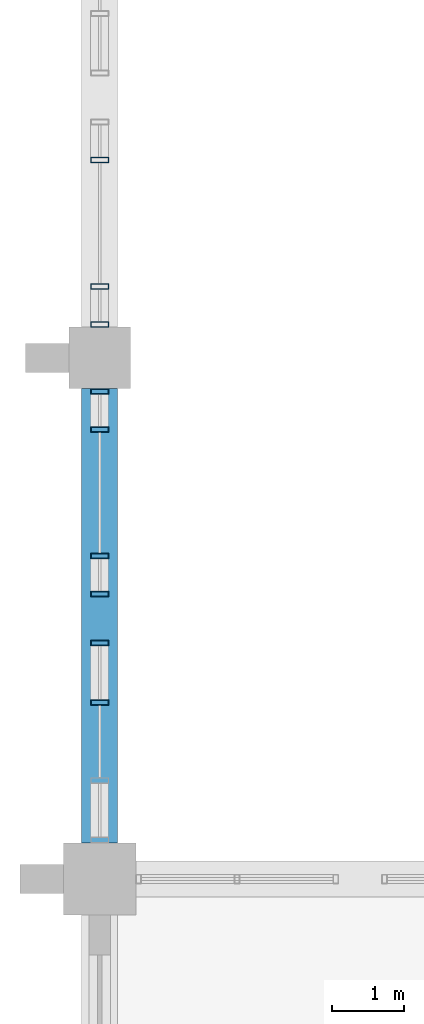
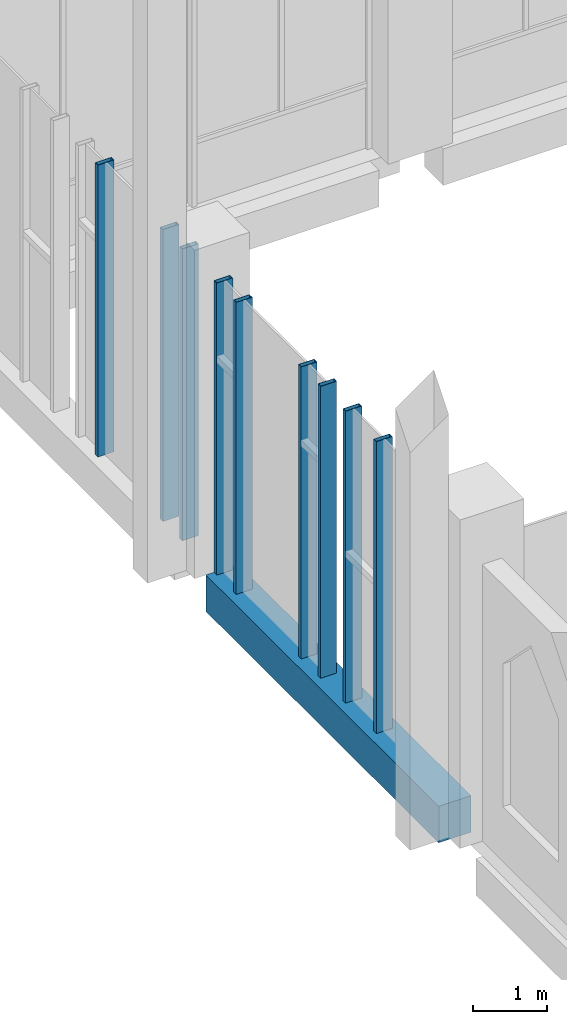
# One storey, part 6 of 83: 9 members, 1 beam, 3 elements without a shape of their own.
"""IFC4 building model written with IfcOpenShell, lengths in metres."""

from ifc_helpers import new_model, si_unit, direction, frame, origin, origin_2d, place, context, subcontext, project, spatial, rectangle, hollow_rectangle, extrude, material, material_profile, profile_set, type_object, element, aggregate, save


model = new_model("IFC4")

# Units and contexts
model_context = context("Model", 3, precision=1e-05, world=origin(), true_north=direction((0.0, 1.0)))
body_context = subcontext(model_context, "Body", "Model", "MODEL_VIEW")
ifc_project = project(units=[si_unit("LENGTHUNIT", "METRE"), si_unit("AREAUNIT", "SQUARE_METRE"), si_unit("VOLUMEUNIT", "CUBIC_METRE"), si_unit("PLANEANGLEUNIT", "RADIAN"), si_unit("MASSUNIT", "GRAM", prefix="KILO")], contexts=[model_context])

# Site, building, storey
site_placement = place(None, origin())
site = spatial("IfcSite", under=ifc_project, at=site_placement, CompositionType="ELEMENT")
building_placement = place(site_placement, origin())
building = spatial("IfcBuilding", under=site, at=building_placement, Name="Silangan Lancet Faculty of Sciences", CompositionType="ELEMENT")
storey_placement = place(building_placement, frame((0.0, 0.0, 11.39990234375)))
storey = spatial("IfcBuildingStorey", under=building, at=storey_placement, Name="L02", CompositionType="ELEMENT", Elevation=11.39990234375)

# Beam
ifc_material_1 = material(Name="Concrete C40/50", Category="concrete")
ifc_material_profile_1 = material_profile(ifc_material_1, rectangle(XDim=0.5, YDim=0.60009765625, at=origin_2d()), Name="RC 500x600")
ifc_profile_set_1 = profile_set([ifc_material_profile_1], Name="Concrete C40/50")
beam_type = type_object("IfcBeamType", Name="BEAM RC 500x600", PredefinedType="BEAM", material=ifc_profile_set_1)
beam_placement = place(storey_placement, frame((0.0, 22.10009765625, -0.2998046875), z_axis=(0.0, 1.0, 0.0), x_axis=(-1.0, 0.0, 0.0)))
element("IfcBeam", 1, at=beam_placement, inside=storey, type_object=beam_type, Name="BM-L02-1D-1E", PredefinedType="BEAM", context=body_context, shape_type="SweptSolid", body=[
    extrude(rectangle(XDim=0.5, YDim=0.60009765625, at=origin_2d()), origin(), (0.0, 0.0, 1.0), 6.27490234375),
])

# Curtain wall, members
ifc_material_2 = material(Name="Aluminium framed curtain wall with insulated glass", Category="aluminium")
curtain_wall_type_1 = type_object("IfcCurtainWallType", Name="CW3 West stepped lancet window", PredefinedType="NOTDEFINED", material=ifc_material_2)
curtain_wall_1_placement = place(storey_placement, origin())
curtain_wall_1 = element("IfcCurtainWall", 2, at=curtain_wall_1_placement, inside=storey, type_object=curtain_wall_type_1, Name="CW3 West window L02 bay 1", PredefinedType="NOTDEFINED")
ifc_material_3 = material(Name="Aluminium 6063-T6 extrusion", Category="aluminium")
ifc_material_profile_2 = material_profile(ifc_material_3, hollow_rectangle(XDim=0.074951171875, YDim=0.25, WallThickness=0.006103515625, at=origin_2d()), Name="AL BOX 75x250x6")
ifc_profile_set_2 = profile_set([ifc_material_profile_2], Name="Aluminium 6063-T6 extrusion")
member_type = type_object("IfcMemberType", Name="CM3 Mullion 75x250", PredefinedType="MULLION", material=ifc_profile_set_2)
member_1_placement = place(storey_placement, frame((0.0, 24.862548828125, 0.0), z_axis=(0.0, 0.0, 1.0), x_axis=(0.0, 1.0, 0.0)))
member_1 = element("IfcMember", 3, at=member_1_placement, type_object=member_type, Name="CW3 West window L02 bay 1 mullion 2", PredefinedType="MULLION", context=body_context, shape_type="SweptSolid", body=[
    extrude(hollow_rectangle(XDim=0.074951171875, YDim=0.25, WallThickness=0.006103515625, at=origin_2d()), origin(), (0.0, 0.0, 1.0), 4.800048828125),
])
member_2_placement = place(storey_placement, frame((0.0, 24.03759765625, 0.0), z_axis=(0.0, 0.0, 1.0), x_axis=(0.0, 1.0, 0.0)))
member_2 = element("IfcMember", 4, at=member_2_placement, type_object=member_type, Name="CW3 West window L02 bay 1 mullion 4", PredefinedType="MULLION", context=body_context, shape_type="SweptSolid", body=[
    extrude(hollow_rectangle(XDim=0.074951171875, YDim=0.25, WallThickness=0.006103515625, at=origin_2d()), origin(), (0.0, 0.0, 1.0), 4.800048828125),
])
aggregate(curtain_wall_1, [member_1, member_2])

ifc_material_4 = material(Name="Aluminium framed curtain wall with insulated glass", Category="aluminium")
curtain_wall_type_2 = type_object("IfcCurtainWallType", Name="CW6 West window middle bays", PredefinedType="NOTDEFINED", material=ifc_material_4)
curtain_wall_2_placement = place(storey_placement, origin())
curtain_wall_2 = element("IfcCurtainWall", 5, at=curtain_wall_2_placement, inside=storey, type_object=curtain_wall_type_2, Name="CW6 West window L02 bay 2", PredefinedType="NOTDEFINED")
member_3_placement = place(storey_placement, frame((0.0, 25.53759765625, 0.0), z_axis=(0.0, 0.0, 1.0), x_axis=(0.0, 1.0, 0.0)))
member_3 = element("IfcMember", 6, at=member_3_placement, type_object=member_type, Name="CW6 West window L02 bay 2 mullion 1", PredefinedType="MULLION", context=body_context, shape_type="SweptSolid", body=[
    extrude(hollow_rectangle(XDim=0.074951171875, YDim=0.25, WallThickness=0.006103515625, at=origin_2d()), origin(), (0.0, 0.0, 1.0), 4.800048828125),
])
member_4_placement = place(storey_placement, frame((0.0, 28.33740234375, 0.0), z_axis=(0.0, 0.0, 1.0), x_axis=(0.0, 1.0, 0.0)))
member_4 = element("IfcMember", 7, at=member_4_placement, type_object=member_type, Name="CW6 West window L02 bay 2 mullion 2", PredefinedType="MULLION", context=body_context, shape_type="SweptSolid", body=[
    extrude(hollow_rectangle(XDim=0.074951171875, YDim=0.25, WallThickness=0.006103515625, at=origin_2d()), origin(), (0.0, 0.0, 1.0), 4.800048828125),
])
member_5_placement = place(storey_placement, frame((0.0, 26.0625, 0.0), z_axis=(0.0, 0.0, 1.0), x_axis=(0.0, 1.0, 0.0)))
member_5 = element("IfcMember", 8, at=member_5_placement, type_object=member_type, Name="CW6 West window L02 bay 2 mullion 3", PredefinedType="MULLION", context=body_context, shape_type="SweptSolid", body=[
    extrude(hollow_rectangle(XDim=0.074951171875, YDim=0.25, WallThickness=0.006103515625, at=origin_2d()), origin(), (0.0, 0.0, 1.0), 4.800048828125),
])
member_6_placement = place(storey_placement, frame((0.0, 27.8125, 0.0), z_axis=(0.0, 0.0, 1.0), x_axis=(0.0, 1.0, 0.0)))
member_6 = element("IfcMember", 9, at=member_6_placement, type_object=member_type, Name="CW6 West window L02 bay 2 mullion 4", PredefinedType="MULLION", context=body_context, shape_type="SweptSolid", body=[
    extrude(hollow_rectangle(XDim=0.074951171875, YDim=0.25, WallThickness=0.006103515625, at=origin_2d()), origin(), (0.0, 0.0, 1.0), 4.800048828125),
])
aggregate(curtain_wall_2, [member_3, member_4, member_5, member_6])

curtain_wall_3_placement = place(storey_placement, origin())
curtain_wall_3 = element("IfcCurtainWall", 10, at=curtain_wall_3_placement, inside=storey, type_object=curtain_wall_type_2, Name="CW6 West window L02 bay 3", PredefinedType="NOTDEFINED")
member_7_placement = place(storey_placement, frame((0.0, 29.262451171875, 0.0), z_axis=(0.0, 0.0, 1.0), x_axis=(0.0, 1.0, 0.0)))
member_7 = element("IfcMember", 11, at=member_7_placement, type_object=member_type, Name="CW6 West window L02 bay 3 mullion 1", PredefinedType="MULLION", context=body_context, shape_type="SweptSolid", body=[
    extrude(hollow_rectangle(XDim=0.074951171875, YDim=0.25, WallThickness=0.006103515625, at=origin_2d()), origin(), (0.0, 0.0, 1.0), 4.800048828125),
])
member_8_placement = place(storey_placement, frame((0.0, 29.78759765625, 0.0), z_axis=(0.0, 0.0, 1.0), x_axis=(0.0, 1.0, 0.0)))
member_8 = element("IfcMember", 12, at=member_8_placement, type_object=member_type, Name="CW6 West window L02 bay 3 mullion 3", PredefinedType="MULLION", context=body_context, shape_type="SweptSolid", body=[
    extrude(hollow_rectangle(XDim=0.074951171875, YDim=0.25, WallThickness=0.006103515625, at=origin_2d()), origin(), (0.0, 0.0, 1.0), 4.800048828125),
])
member_9_placement = place(storey_placement, frame((0.0, 31.537353515625, 0.0), z_axis=(0.0, 0.0, 1.0), x_axis=(0.0, 1.0, 0.0)))
member_9 = element("IfcMember", 13, at=member_9_placement, type_object=member_type, Name="CW6 West window L02 bay 3 mullion 4", PredefinedType="MULLION", context=body_context, shape_type="SweptSolid", body=[
    extrude(hollow_rectangle(XDim=0.074951171875, YDim=0.25, WallThickness=0.006103515625, at=origin_2d()), origin(), (0.0, 0.0, 1.0), 4.800048828125),
])
aggregate(curtain_wall_3, [member_7, member_8, member_9])

save(model, "model.ifc")
